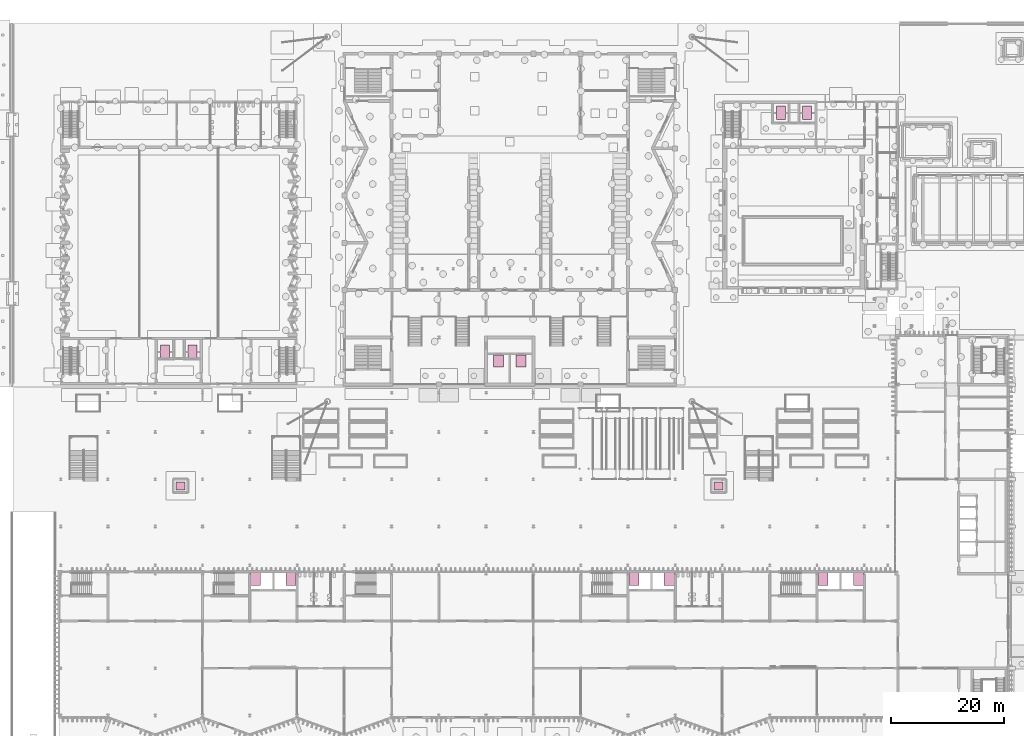
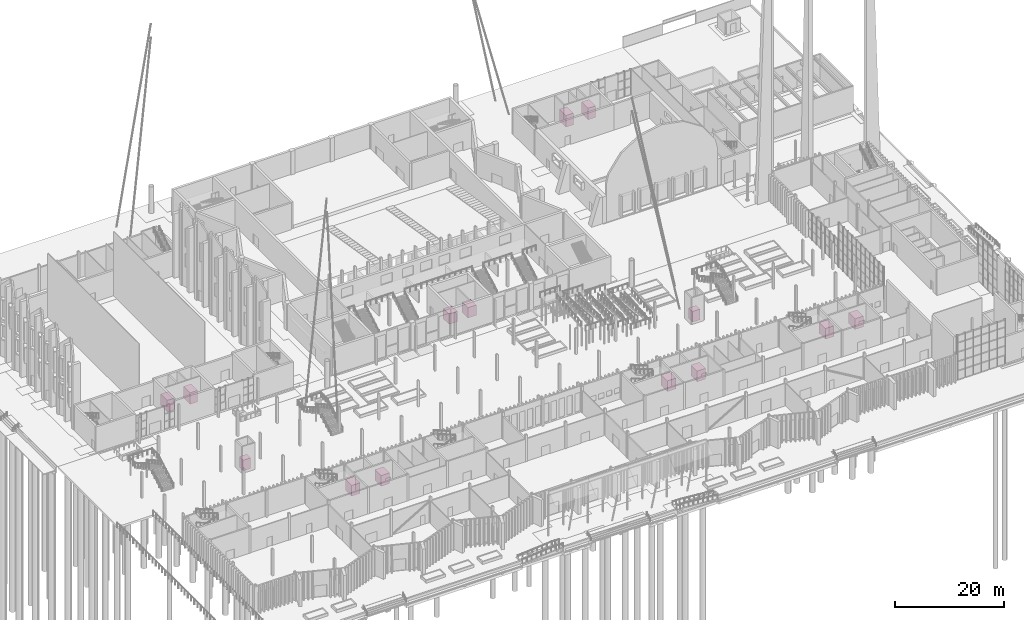
# One storey, part 108 of 108: 14 transport elements.
"""IFC4 building model written with IfcOpenShell, lengths in metres."""

import ifcopenshell
import ifcopenshell.guid

model = None  # the IFC model being written
_history = None  # IfcOwnerHistory: only IFC2X3 demands one
_inside = {}  # id of a spatial element -> (the spatial element, [elements in it])
_under = {}  # id of a project, library or spatial element -> (it, [spatial elements below it])
_declared = {}  # id of a project -> (the project, [libraries it declares])
_typed = {}  # id of a type object -> (the type object, [elements of that type])
_made_of = {}  # id of a material, layer set ... -> (it, [elements and type objects made of it])


def new_model(schema):
    """Start an empty IFC model of exactly this schema.

    Asked for "IFC4X3", IfcOpenShell would pick the latest addendum, in which some entities
    have other attributes; the version numbers below select the first issue.
    IFC2X3 requires an IfcOwnerHistory on every rooted entity: one is made here for all.
    """
    global model, _history
    if schema == "IFC4X3":
        model = ifcopenshell.file(schema_version=(4, 3, 0, 0))
    else:
        model = ifcopenshell.file(schema=schema)
    _inside.clear()
    _under.clear()
    _declared.clear()
    _typed.clear()
    _made_of.clear()
    _history = None
    if model.schema == "IFC2X3":
        org = make("IfcOrganization", Name="unknown")
        user = make(
            "IfcPersonAndOrganization",
            ThePerson=make("IfcPerson", FamilyName="unknown"),
            TheOrganization=org,
        )
        app = make(
            "IfcApplication",
            ApplicationDeveloper=org,
            Version="unknown",
            ApplicationFullName="unknown",
            ApplicationIdentifier="unknown",
        )
        _history = make(
            "IfcOwnerHistory",
            OwningUser=user,
            OwningApplication=app,
            ChangeAction="ADDED",
            CreationDate=0,
        )
    return model


def make(cls, **values):
    """One entity of the class cls with the attributes given. An attribute that is None is left unset."""
    return model.create_entity(
        cls, **{name: value for name, value in values.items() if value is not None}
    )


def rooted(cls, **values):
    """An entity with a GlobalId (a new one), such as an element, a storey or a relation."""
    return make(cls, GlobalId=ifcopenshell.guid.new(), OwnerHistory=_history, **values)


def si_unit(unit_type, name, prefix=None):
    """IfcSIUnit, for example si_unit("LENGTHUNIT", "METRE", prefix="MILLI")."""
    return make("IfcSIUnit", UnitType=unit_type, Prefix=prefix, Name=name)


def assignment(units):
    """IfcUnitAssignment: the units of a project."""
    return None if units is None else make("IfcUnitAssignment", Units=units)


def point(xyz):
    """IfcCartesianPoint."""
    return None if xyz is None else make("IfcCartesianPoint", Coordinates=xyz)


def direction(xyz):
    """IfcDirection."""
    return None if xyz is None else make("IfcDirection", DirectionRatios=xyz)


def frame(location, z_axis=None, x_axis=None):
    """IfcAxis2Placement3D, a coordinate frame: its origin and axes. An axis left out is left unset."""
    return make(
        "IfcAxis2Placement3D",
        Location=point(location),
        Axis=direction(z_axis),
        RefDirection=direction(x_axis),
    )


def frame_2d(location, x_axis=None):
    """IfcAxis2Placement2D, a coordinate frame in the plane: its origin and x axis."""
    return make(
        "IfcAxis2Placement2D", Location=point(location), RefDirection=direction(x_axis)
    )


def origin():
    """The frame at (0, 0, 0) with its axes left unset."""
    return frame((0.0, 0.0, 0.0))


def origin_2d():
    """The frame at (0, 0) in the plane with its x axis left unset."""
    return frame_2d((0.0, 0.0))


def place(relative_to, where):
    """IfcLocalPlacement: puts the frame where relative to a parent placement (None: the world)."""
    return make(
        "IfcLocalPlacement", PlacementRelTo=relative_to, RelativePlacement=where
    )


def context(
    kind, dimensions, precision=None, world=None, true_north=None, identifier=None
):
    """IfcGeometricRepresentationContext, for example the 3D "Model" context."""
    return make(
        "IfcGeometricRepresentationContext",
        ContextIdentifier=identifier,
        ContextType=kind,
        CoordinateSpaceDimension=dimensions,
        Precision=precision,
        WorldCoordinateSystem=world,
        TrueNorth=true_north,
    )


def subcontext(parent, identifier, kind, view, scale=None):
    """IfcGeometricRepresentationSubContext, for example "Body" below "Model"."""
    return make(
        "IfcGeometricRepresentationSubContext",
        ContextIdentifier=identifier,
        ContextType=kind,
        ParentContext=parent,
        TargetScale=scale,
        TargetView=view,
    )


def project(units=None, contexts=None):
    """IfcProject with its units and contexts."""
    return rooted(
        "IfcProject",
        Name="project",
        RepresentationContexts=contexts,
        UnitsInContext=assignment(units),
    )


def spatial(cls, under=None, at=None, **own):
    """A site, building, storey or space (cls), placed at a placement, below another one or the project."""
    s = rooted(cls, ObjectPlacement=at, **own)
    if under is not None:
        _under.setdefault(under.id(), (under, []))[1].append(s)
    return s


def profile(cls, at=None, kind="AREA", **sizes):
    """A parametric profile (cls). Its sizes go by their IFC names, for example OverallWidth=200.0."""
    return make(cls, ProfileType=kind, Position=at, **sizes)


def rectangle(**sizes):
    """IfcRectangleProfileDef."""
    return profile("IfcRectangleProfileDef", **sizes)


def extrude(swept, where, along, depth):
    """IfcExtrudedAreaSolid: the profile swept, set in the frame where, extruded along a direction by depth."""
    return make(
        "IfcExtrudedAreaSolid",
        SweptArea=swept,
        Position=where,
        ExtrudedDirection=direction(along),
        Depth=depth,
    )


def shape(context_of_items, identifier, shape_type, items):
    """IfcShapeRepresentation: the items that make up one representation, for example the "Body"."""
    return make(
        "IfcShapeRepresentation",
        ContextOfItems=context_of_items,
        RepresentationIdentifier=identifier,
        RepresentationType=shape_type,
        Items=items,
    )


def material(Name=None, Category=None):
    """IfcMaterial."""
    return make("IfcMaterial", Name=Name, Category=Category)


def made_of(thing, what):
    """Note that an element or type object is made of a material, layer set ...; save() writes the relation."""
    if what is not None:
        _made_of.setdefault(what.id(), (what, []))[1].append(thing)
    return thing


def type_object(cls, material=None, **own):
    """A type object (cls), such as IfcWallType, which elements share."""
    return made_of(rooted(cls, **own), material)


def element(
    cls,
    number,
    at=None,
    inside=None,
    cuts=None,
    type_object=None,
    material=None,
    context=None,
    identifier="Body",
    shape_type=None,
    held_by="IfcProductDefinitionShape",
    body=None,
    shapes=None,
    **own,
):
    """One element of the class cls, such as IfcWall. Its Tag is "e" and its number.

    at: its placement. inside: the storey or other place that contains it. cuts: it is an
    opening in that element (IfcRelVoidsElement). A single representation is given by context,
    identifier, shape_type and body (its items); several are given by shapes. held_by: the class
    of the entity that holds the representations. save() writes the other relations.
    """
    e = rooted(cls, Tag="e%d" % number, ObjectPlacement=at, **own)
    if body is not None:
        shapes = [shape(context, identifier, shape_type, body)]
    if shapes is not None:
        e.Representation = make(held_by, Representations=shapes)
    if inside is not None:
        _inside.setdefault(inside.id(), (inside, []))[1].append(e)
    if cuts is not None:
        rooted(
            "IfcRelVoidsElement", RelatingBuildingElement=cuts, RelatedOpeningElement=e
        )
    if type_object is not None:
        _typed.setdefault(type_object.id(), (type_object, []))[1].append(e)
    return made_of(e, material)


def aggregate(whole, parts):
    """IfcRelAggregates: a whole, such as a stair, and the parts it consists of."""
    return rooted("IfcRelAggregates", RelatingObject=whole, RelatedObjects=parts)


def save(model, path):
    """Write the relations noted so far, then the file.

    IfcRelAggregates (storeys below a building ...), IfcRelContainedInSpatialStructure (elements
    in a storey), IfcRelDefinesByType, IfcRelAssociatesMaterial and IfcRelDeclares: one each for
    every whole, place, type object, material and project.
    """
    for whole, parts in _under.values():
        aggregate(whole, parts)
    for where, things in _inside.values():
        rooted(
            "IfcRelContainedInSpatialStructure",
            RelatedElements=things,
            RelatingStructure=where,
        )
    for kind, things in _typed.values():
        rooted("IfcRelDefinesByType", RelatedObjects=things, RelatingType=kind)
    for what, things in _made_of.values():
        rooted("IfcRelAssociatesMaterial", RelatedObjects=things, RelatingMaterial=what)
    for by, libraries in _declared.values():
        rooted("IfcRelDeclares", RelatingContext=by, RelatedDefinitions=libraries)
    model.write(path)


model = new_model("IFC4")

# Units and contexts
model_context = context("Model", 3, precision=1e-05, world=origin(), true_north=direction((0.0, 1.0)))
body_context = subcontext(model_context, "Body", "Model", "MODEL_VIEW")
ifc_project = project(units=[si_unit("LENGTHUNIT", "METRE"), si_unit("AREAUNIT", "SQUARE_METRE"), si_unit("VOLUMEUNIT", "CUBIC_METRE"), si_unit("PLANEANGLEUNIT", "RADIAN"), si_unit("MASSUNIT", "GRAM", prefix="KILO")], contexts=[model_context])

# Site, building, storey
site_placement = place(None, origin())
site = spatial("IfcSite", under=ifc_project, at=site_placement, CompositionType="ELEMENT")
building_placement = place(site_placement, origin())
building = spatial("IfcBuilding", under=site, at=building_placement, Name="Cresset Court Congress Hotel", CompositionType="ELEMENT")
storey_placement = place(building_placement, origin())
storey = spatial("IfcBuildingStorey", under=building, at=storey_placement, Name="L00", CompositionType="ELEMENT", Elevation=0.0)

# Transport elements
ifc_material_1 = material(Name="Passenger lift 1600x1400")
transport_element_type_1 = type_object("IfcTransportElementType", Name="Passenger lift 1600x1400", PredefinedType="ELEVATOR", material=ifc_material_1)
for number, where, z_axis, x_axis, name in (
    (1, (125.300048828125, 40.800048828125, 0.0), (0.0, 0.0, 1.0), (1.0, 0.0, 0.0), "Lift LF-S1"),
    (2, (29.699951171875, 40.800048828125, 0.0), (0.0, 0.0, 1.0), (1.0, 0.0, 0.0), "Lift LF-S2"),
):
    element("IfcTransportElement", number, at=place(storey_placement, frame(where, z_axis=z_axis, x_axis=x_axis)), inside=storey, type_object=transport_element_type_1, Name=name, PredefinedType="ELEVATOR", context=body_context, shape_type="SweptSolid", body=[
        extrude(rectangle(XDim=1.60009765625, YDim=1.39990234375, at=origin_2d()), origin(), (0.0, 0.0, 1.0), 2.39990234375),
    ])
ifc_material_2 = material(Name="Stainless steel", Category="steel")
transport_element_type_2 = type_object("IfcTransportElementType", Name="Passenger lift 1600x2400", PredefinedType="ELEVATOR", material=ifc_material_2)
for number, where, z_axis, x_axis, name in (
    (3, (26.949951171875, 64.60009765625, 0.099853515625), (0.0, 0.0, 1.0), (1.0, 0.0, 0.0), "Lift LF-D1"),
    (4, (31.85009765625, 64.60009765625, 0.099853515625), (0.0, 0.0, 1.0), (1.0, 0.0, 0.0), "Lift LF-D2"),
    (5, (136.363037109375, 107.10009765625, 0.099853515625), (0.0, 0.0, 1.0), (1.0, 0.0, 0.0), "Lift LF-E1"),
    (6, (141.050048828125, 107.10009765625, 0.099853515625), (0.0, 0.0, 1.0), (1.0, 0.0, 0.0), "Lift LF-E2"),
):
    element("IfcTransportElement", number, at=place(storey_placement, frame(where, z_axis=z_axis, x_axis=x_axis)), inside=storey, type_object=transport_element_type_2, Name=name, PredefinedType="ELEVATOR", context=body_context, shape_type="SweptSolid", body=[
        extrude(rectangle(XDim=1.60009765625, YDim=2.39990234375, at=origin_2d()), origin(), (0.0, 0.0, 1.0), 2.60009765625),
    ])
ifc_material_3 = material(Name="Stainless steel", Category="steel")
transport_element_type_3 = type_object("IfcTransportElementType", Name="Passenger lift 2000 kg", PredefinedType="ELEVATOR", material=ifc_material_3)
for number, where, z_axis, x_axis, name in (
    (7, (43.050048828125, 24.25, 0.0), (0.0, 0.0, 1.0), (1.0, 0.0, 0.0), "Lift LF-B1.1"),
    (8, (49.35009765625, 24.25, 0.0), (0.0, 0.0, 1.0), (1.0, 0.0, 0.0), "Lift LF-B1.2"),
    (9, (110.25, 24.25, 0.0), (0.0, 0.0, 1.0), (1.0, 0.0, 0.0), "Lift LF-B2.1"),
    (10, (116.550048828125, 24.25, 0.0), (0.0, 0.0, 1.0), (1.0, 0.0, 0.0), "Lift LF-B2.2"),
    (11, (143.85009765625, 24.25, 0.0), (0.0, 0.0, 1.0), (1.0, 0.0, 0.0), "Lift LF-B3.1"),
    (12, (150.14990234375, 24.25, 0.0), (0.0, 0.0, 1.0), (1.0, 0.0, 0.0), "Lift LF-B3.2"),
):
    element("IfcTransportElement", number, at=place(storey_placement, frame(where, z_axis=z_axis, x_axis=x_axis)), inside=storey, type_object=transport_element_type_3, Name=name, PredefinedType="ELEVATOR", context=body_context, shape_type="SweptSolid", body=[
        extrude(rectangle(XDim=1.800048828125, YDim=2.300048828125, at=origin_2d()), origin(), (0.0, 0.0, 1.0), 2.39990234375),
    ])
ifc_material_4 = material(Name="Stainless steel", Category="steel")
transport_element_type_4 = type_object("IfcTransportElementType", Name="Passenger lift 2000 kg, car 1800x2100", PredefinedType="ELEVATOR", material=ifc_material_4)
for number, where, z_axis, x_axis, name in (
    (13, (86.175048828125, 63.0, 0.0), (0.0, 0.0, 1.0), (1.0, 0.0, 0.0), "Lift LF-C1"),
    (14, (90.22509765625, 63.0, 0.0), (0.0, 0.0, 1.0), (1.0, 0.0, 0.0), "Lift LF-C2"),
):
    element("IfcTransportElement", number, at=place(storey_placement, frame(where, z_axis=z_axis, x_axis=x_axis)), inside=storey, type_object=transport_element_type_4, Name=name, PredefinedType="ELEVATOR", context=body_context, shape_type="SweptSolid", body=[
        extrude(rectangle(XDim=1.800048828125, YDim=2.10009765625, at=origin_2d()), origin(), (0.0, 0.0, 1.0), 2.300048828125),
    ])

save(model, "model.ifc")
